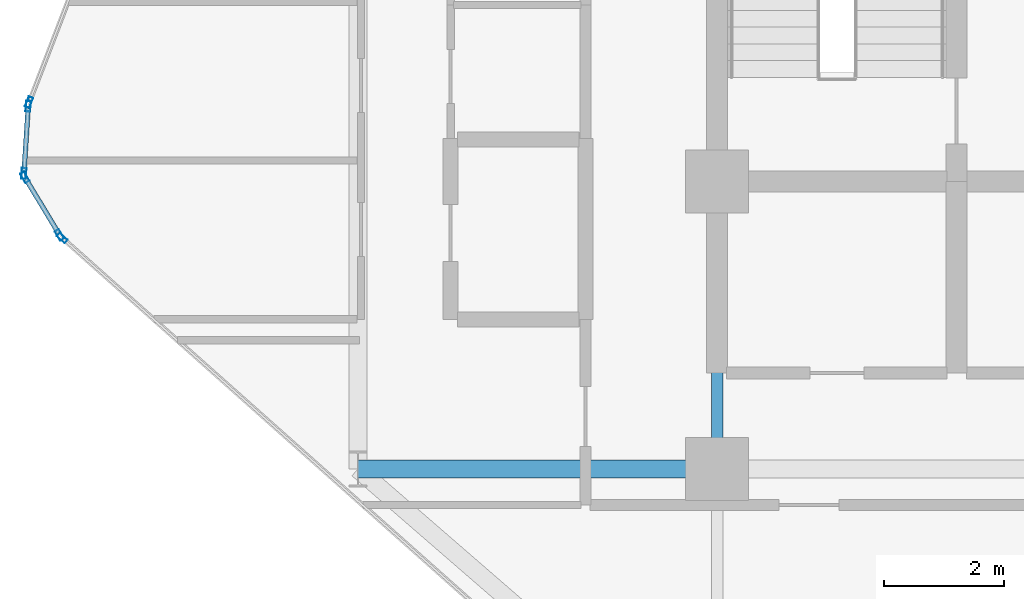
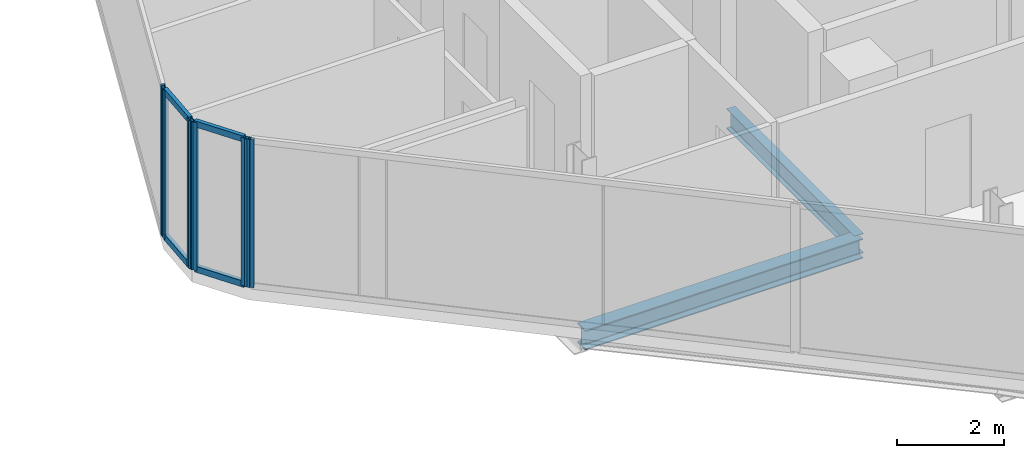
# One storey, part 6 of 30: 10 members, 2 beams, 4 elements without a shape of their own.
"""IFC4 building model written with IfcOpenShell, lengths in metres."""

from ifc_helpers import new_model, si_unit, direction, frame, origin, origin_2d, place, context, subcontext, project, spatial, hollow_rectangle, i_section, extrude, material, layer, layer_set, material_profile, profile_set, type_object, element, aggregate, save


model = new_model("IFC4")

# Units and contexts
model_context = context("Model", 3, precision=1e-05, world=origin(), true_north=direction((0.0, 1.0)))
body_context = subcontext(model_context, "Body", "Model", "MODEL_VIEW")
ifc_project = project(units=[si_unit("LENGTHUNIT", "METRE"), si_unit("AREAUNIT", "SQUARE_METRE"), si_unit("VOLUMEUNIT", "CUBIC_METRE"), si_unit("PLANEANGLEUNIT", "RADIAN"), si_unit("MASSUNIT", "GRAM", prefix="KILO")], contexts=[model_context])

# Site, building, storey
site_placement = place(None, origin())
site = spatial("IfcSite", under=ifc_project, at=site_placement, CompositionType="ELEMENT")
building_placement = place(site_placement, origin())
building = spatial("IfcBuilding", under=site, at=building_placement, Name="Keshet Zoharim Tower", CompositionType="ELEMENT")
storey_placement = place(building_placement, frame((0.0, 0.0, 90.89990234375)))
storey = spatial("IfcBuildingStorey", under=building, at=storey_placement, Name="L21", CompositionType="ELEMENT", Elevation=90.89990234375)

# Beams
ifc_material_1 = material(Name="Steel S355", Category="steel")
ifc_material_profile_1 = material_profile(ifc_material_1, i_section(OverallWidth=0.18994140625, OverallDepth=0.449951171875, WebThickness=0.009521484375, FlangeThickness=0.0146484375, FilletRadius=0.02099609375, at=origin_2d()), Name="IPE450")
ifc_profile_set_1 = profile_set([ifc_material_profile_1], Name="Steel S355")
beam_type_1 = type_object("IfcBeamType", Name="BM-PRI-IP450", PredefinedType="BEAM", material=ifc_profile_set_1)
beam_1_placement = place(storey_placement, frame((15.0, 17.89990234375, -0.539794921875), z_axis=(0.0, 1.0, 0.0), x_axis=(-1.0, 0.0, 0.0)))
element("IfcBeam", 1, at=beam_1_placement, inside=storey, type_object=beam_type_1, Name="L21 Primary Girder Y-003", PredefinedType="BEAM", context=body_context, shape_type="SweptSolid", body=[
    extrude(i_section(OverallWidth=0.18994140625, OverallDepth=0.449951171875, WebThickness=0.009521484375, FlangeThickness=0.0146484375, FilletRadius=0.02099609375, at=origin_2d()), origin(), (0.0, 0.0, 1.0), 4.800048828125),
])
ifc_material_profile_2 = material_profile(ifc_material_1, i_section(OverallWidth=0.300048828125, OverallDepth=0.449951171875, WebThickness=0.013916015625, FlangeThickness=0.02587890625, FilletRadius=0.027099609375, at=origin_2d()), Name="HEB450")
ifc_profile_set_2 = profile_set([ifc_material_profile_2], Name="Steel S355")
beam_type_2 = type_object("IfcBeamType", Name="BM-WEB-HB450", PredefinedType="BEAM", material=ifc_profile_set_2)
beam_2_placement = place(storey_placement, frame((9.0, 17.89990234375, -0.539794921875), z_axis=(1.0, 0.0, 0.0), x_axis=(0.0, 1.0, 0.0)))
element("IfcBeam", 2, at=beam_2_placement, inside=storey, type_object=beam_type_2, Name="L21 Primary Girder X-011", PredefinedType="BEAM", context=body_context, shape_type="SweptSolid", body=[
    extrude(i_section(OverallWidth=0.300048828125, OverallDepth=0.449951171875, WebThickness=0.013916015625, FlangeThickness=0.02587890625, FilletRadius=0.027099609375, at=origin_2d()), origin(), (0.0, 0.0, 1.0), 6.0),
])

# Curtain wall, member
ifc_material_2 = material(Name="Aluminium 6063-T6", Category="aluminium")
ifc_layer = layer(ifc_material_2, 0.159912109375)
ifc_layer_set = layer_set([ifc_layer], Name="Aluminium 6063-T6")
curtain_wall_type = type_object("IfcCurtainWallType", Name="CW-SYS-03", PredefinedType="NOTDEFINED", material=ifc_layer_set)
curtain_wall_1_placement = place(storey_placement, origin())
curtain_wall_1 = element("IfcCurtainWall", 3, at=curtain_wall_1_placement, inside=storey, type_object=curtain_wall_type, Name="L21 Unitised Curtain Wall 07 Part 2", PredefinedType="NOTDEFINED")
ifc_material_profile_3 = material_profile(ifc_material_2, hollow_rectangle(XDim=0.080078125, YDim=0.179931640625, WallThickness=0.00439453125, at=origin_2d()), Name="MUL-80x180")
ifc_profile_set_3 = profile_set([ifc_material_profile_3], Name="Aluminium 6063-T6")
member_type_1 = type_object("IfcMemberType", Name="CWM-M18", PredefinedType="MULLION", material=ifc_profile_set_3)
member_1_placement = place(storey_placement, frame((4.061279296875, 21.7568359375, 0.0), z_axis=(0.0, 0.0, 1.0), x_axis=(-0.664364135264, -0.747409055186, 0.0)))
member_1 = element("IfcMember", 4, at=member_1_placement, type_object=member_type_1, Name="CW-03 mullion 3", PredefinedType="MULLION", context=body_context, shape_type="SweptSolid", body=[
    extrude(hollow_rectangle(XDim=0.080078125, YDim=0.179931640625, WallThickness=0.00439453125, at=origin_2d()), origin(), (0.0, 0.0, 1.0), 3.385009765625),
])
aggregate(curtain_wall_1, [member_1])

# Curtain wall, members
curtain_wall_2_placement = place(storey_placement, origin())
curtain_wall_2 = element("IfcCurtainWall", 5, at=curtain_wall_2_placement, inside=storey, type_object=curtain_wall_type, Name="L21 Unitised Curtain Wall 08", PredefinedType="NOTDEFINED")
member_2_placement = place(storey_placement, frame((4.016845703125, 21.81005859375, 0.0), z_axis=(0.0, 0.0, 1.0), x_axis=(-0.856826433805, -0.515604947933, 0.0)))
member_2 = element("IfcMember", 6, at=member_2_placement, type_object=member_type_1, Name="CW-03 mullion 1", PredefinedType="MULLION", context=body_context, shape_type="SweptSolid", body=[
    extrude(hollow_rectangle(XDim=0.080078125, YDim=0.179931640625, WallThickness=0.00439453125, at=origin_2d()), origin(), (0.0, 0.0, 1.0), 3.385009765625),
])
member_3_placement = place(storey_placement, frame((3.43798828125, 22.77197265625, 0.0), z_axis=(0.0, 0.0, 1.0), x_axis=(-0.856826433805, -0.515604947933, 0.0)))
member_3 = element("IfcMember", 7, at=member_3_placement, type_object=member_type_1, Name="CW-03 mullion 2", PredefinedType="MULLION", context=body_context, shape_type="SweptSolid", body=[
    extrude(hollow_rectangle(XDim=0.080078125, YDim=0.179931640625, WallThickness=0.00439453125, at=origin_2d()), origin(), (0.0, 0.0, 1.0), 3.385009765625),
])

curtain_wall_3_placement = place(storey_placement, origin())
curtain_wall_3 = element("IfcCurtainWall", 8, at=curtain_wall_3_placement, inside=storey, type_object=curtain_wall_type, Name="L21 Unitised Curtain Wall 09", PredefinedType="NOTDEFINED")
member_4_placement = place(storey_placement, frame((3.42236328125, 22.8369140625, 0.0), z_axis=(0.0, 0.0, 1.0), x_axis=(-0.997916617186, 0.064516859374, 0.0)))
member_4 = element("IfcMember", 9, at=member_4_placement, type_object=member_type_1, Name="CW-03 mullion 1", PredefinedType="MULLION", context=body_context, shape_type="SweptSolid", body=[
    extrude(hollow_rectangle(XDim=0.080078125, YDim=0.179931640625, WallThickness=0.00439453125, at=origin_2d()), origin(), (0.0, 0.0, 1.0), 3.385009765625),
])
member_5_placement = place(storey_placement, frame((3.49462890625, 23.9580078125, 0.0), z_axis=(0.0, 0.0, 1.0), x_axis=(-0.997916617186, 0.064516859374, 0.0)))
member_5 = element("IfcMember", 10, at=member_5_placement, type_object=member_type_1, Name="CW-03 mullion 2", PredefinedType="MULLION", context=body_context, shape_type="SweptSolid", body=[
    extrude(hollow_rectangle(XDim=0.080078125, YDim=0.179931640625, WallThickness=0.00439453125, at=origin_2d()), origin(), (0.0, 0.0, 1.0), 3.385009765625),
])

# Curtain wall, member
curtain_wall_4_placement = place(storey_placement, origin())
curtain_wall_4 = element("IfcCurtainWall", 11, at=curtain_wall_4_placement, inside=storey, type_object=curtain_wall_type, Name="L21 Unitised Curtain Wall 10", PredefinedType="NOTDEFINED")
member_6_placement = place(storey_placement, frame((3.509521484375, 24.025634765625, 0.0), z_axis=(0.0, 0.0, 1.0), x_axis=(-0.933341404361, 0.358990003907, 0.0)))
member_6 = element("IfcMember", 12, at=member_6_placement, type_object=member_type_1, Name="CW-03 mullion 1", PredefinedType="MULLION", context=body_context, shape_type="SweptSolid", body=[
    extrude(hollow_rectangle(XDim=0.080078125, YDim=0.179931640625, WallThickness=0.00439453125, at=origin_2d()), origin(), (0.0, 0.0, 1.0), 3.385009765625),
])
aggregate(curtain_wall_4, [member_6])

# Member
ifc_material_profile_4 = material_profile(ifc_material_2, hollow_rectangle(XDim=0.080078125, YDim=0.139892578125, WallThickness=0.00390625, at=origin_2d()), Name="TRN-80x140")
ifc_profile_set_4 = profile_set([ifc_material_profile_4], Name="Aluminium 6063-T6")
member_type_2 = type_object("IfcMemberType", Name="CWT-T14", PredefinedType="USERDEFINED", material=ifc_profile_set_4)
member_7_placement = place(storey_placement, frame((3.9990234375, 21.840087890625, 0.03515625), z_axis=(-0.515791194107, 0.856714330499, 0.0), x_axis=(-0.856714330499, -0.515791194107, 0.0)))
member_7 = element("IfcMember", 13, at=member_7_placement, type_object=member_type_2, Name="CW-03 transom 1.1", ObjectType="TRANSOM", PredefinedType="USERDEFINED", context=body_context, shape_type="SweptSolid", body=[
    extrude(hollow_rectangle(XDim=0.080078125, YDim=0.139892578125, WallThickness=0.00390625, at=origin_2d()), origin(), (0.0, 0.0, 1.0), 1.052734375),
])

member_8_placement = place(storey_placement, frame((3.9990234375, 21.840087890625, 3.35009765625), z_axis=(-0.515791194107, 0.856714330499, 0.0), x_axis=(-0.856714330499, -0.515791194107, 0.0)))
member_8 = element("IfcMember", 14, at=member_8_placement, type_object=member_type_2, Name="CW-03 transom 1.2", ObjectType="TRANSOM", PredefinedType="USERDEFINED", context=body_context, shape_type="SweptSolid", body=[
    extrude(hollow_rectangle(XDim=0.080078125, YDim=0.139892578125, WallThickness=0.00390625, at=origin_2d()), origin(), (0.0, 0.0, 1.0), 1.052734375),
])

aggregate(curtain_wall_2, [member_2, member_3, member_7, member_8])

member_9_placement = place(storey_placement, frame((3.424560546875, 22.871826171875, 0.03515625), z_axis=(0.064426947155, 0.997922426083, 0.0), x_axis=(-0.997922426083, 0.064426947155, 0.0)))
member_9 = element("IfcMember", 15, at=member_9_placement, type_object=member_type_2, Name="CW-03 transom 1.1", ObjectType="TRANSOM", PredefinedType="USERDEFINED", context=body_context, shape_type="SweptSolid", body=[
    extrude(hollow_rectangle(XDim=0.080078125, YDim=0.139892578125, WallThickness=0.00390625, at=origin_2d()), origin(), (0.0, 0.0, 1.0), 1.053466796875),
])

member_10_placement = place(storey_placement, frame((3.424560546875, 22.871826171875, 3.35009765625), z_axis=(0.064426947155, 0.997922426083, 0.0), x_axis=(-0.997922426083, 0.064426947155, 0.0)))
member_10 = element("IfcMember", 16, at=member_10_placement, type_object=member_type_2, Name="CW-03 transom 1.2", ObjectType="TRANSOM", PredefinedType="USERDEFINED", context=body_context, shape_type="SweptSolid", body=[
    extrude(hollow_rectangle(XDim=0.080078125, YDim=0.139892578125, WallThickness=0.00390625, at=origin_2d()), origin(), (0.0, 0.0, 1.0), 1.053466796875),
])

aggregate(curtain_wall_3, [member_4, member_5, member_9, member_10])

save(model, "model.ifc")
